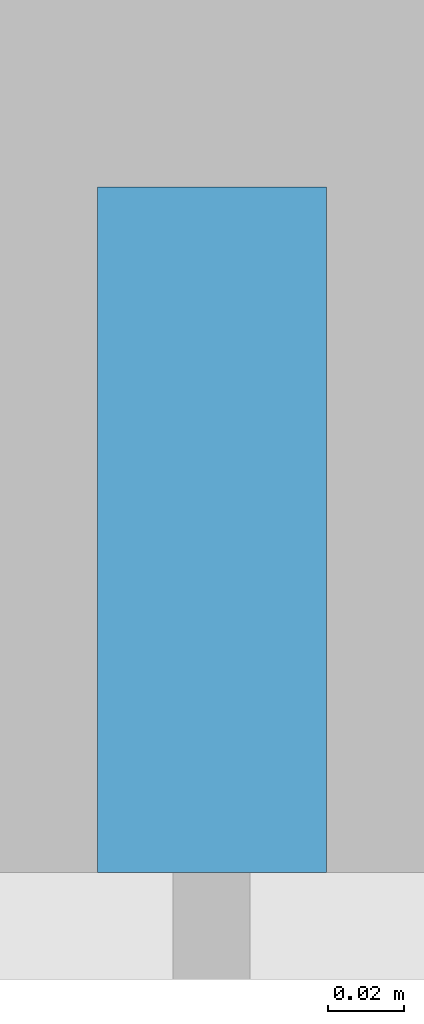
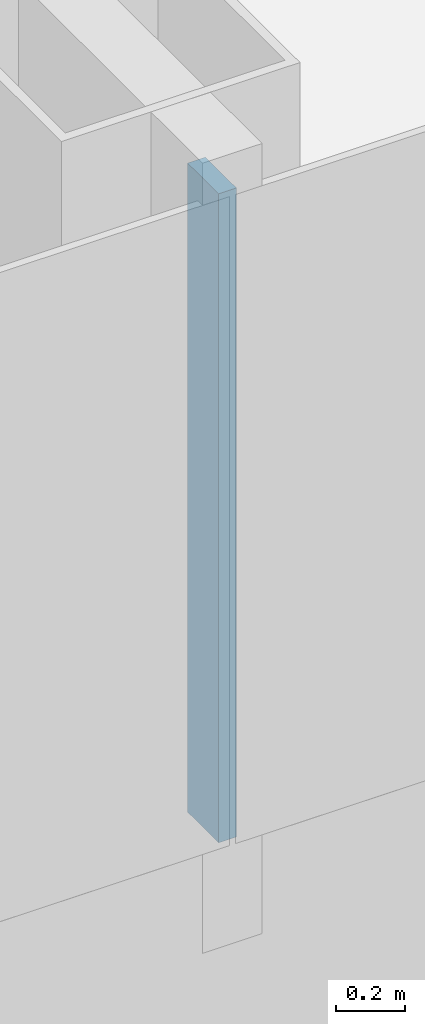
# One storey, part 4 of 29: 1 member, 1 element without a shape of its own.
"""IFC4 building model written with IfcOpenShell, lengths in metres."""

from ifc_helpers import new_model, si_unit, direction, frame, origin, origin_2d, place, context, subcontext, project, spatial, rectangle, extrude, material, layer, layer_set, material_profile, profile_set, type_object, element, aggregate, save


model = new_model("IFC4")

# Units and contexts
model_context = context("Model", 3, precision=1e-05, world=origin(), true_north=direction((0.0, 1.0)))
body_context = subcontext(model_context, "Body", "Model", "MODEL_VIEW")
ifc_project = project(units=[si_unit("LENGTHUNIT", "METRE"), si_unit("AREAUNIT", "SQUARE_METRE"), si_unit("VOLUMEUNIT", "CUBIC_METRE"), si_unit("PLANEANGLEUNIT", "RADIAN"), si_unit("MASSUNIT", "GRAM", prefix="KILO")], contexts=[model_context])

# Site, building, storey
site_placement = place(None, origin())
site = spatial("IfcSite", under=ifc_project, at=site_placement, CompositionType="ELEMENT")
building_placement = place(site_placement, origin())
building = spatial("IfcBuilding", under=site, at=building_placement, Name="Hakoniwa Tower and Hamabe Station Hall", CompositionType="ELEMENT")
storey_placement = place(building_placement, frame((0.0, 0.0, 85.0)))
storey = spatial("IfcBuildingStorey", under=building, at=storey_placement, Name="L23", CompositionType="ELEMENT", Elevation=85.0)

# Curtain wall, member
ifc_material_1 = material(Name="Dark low-e laminated glass", Category="glass")
ifc_layer = layer(ifc_material_1, 0.199951171875)
ifc_layer_set = layer_set([ifc_layer], Name="CW-1 UNITISED GUEST")
curtain_wall_type = type_object("IfcCurtainWallType", Name="CW-1 UNITISED GUEST", PredefinedType="NOTDEFINED", material=ifc_layer_set)
curtain_wall_placement = place(storey_placement, origin())
curtain_wall = element("IfcCurtainWall", 1, at=curtain_wall_placement, inside=storey, type_object=curtain_wall_type, Name="CW-1 curtain wall", PredefinedType="NOTDEFINED")
ifc_material_2 = material(Name="Aluminium 6063-T5 black anodised", Category="aluminium")
ifc_material_profile = material_profile(ifc_material_2, rectangle(XDim=0.06005859375, YDim=0.179931640625, at=origin_2d()), Name="CW-1 MULLION 60X180")
ifc_profile_set = profile_set([ifc_material_profile], Name="Aluminium 6063-T5 black anodised")
member_type = type_object("IfcMemberType", Name="CW-1 MULLION 60X180", PredefinedType="MULLION", material=ifc_profile_set)
member_placement = place(storey_placement, frame((-8.39990234375, -15.431884765625, 0.35009765625), z_axis=(0.0, 0.0, 1.0), x_axis=(1.0, 0.0, 0.0)))
member = element("IfcMember", 2, at=member_placement, type_object=member_type, Name="CW-1 mullion", PredefinedType="MULLION", context=body_context, shape_type="SweptSolid", body=[
    extrude(rectangle(XDim=0.06005859375, YDim=0.179931640625, at=origin_2d()), origin(), (0.0, 0.0, 1.0), 2.2998046875),
])
aggregate(curtain_wall, [member])

save(model, "model.ifc")
